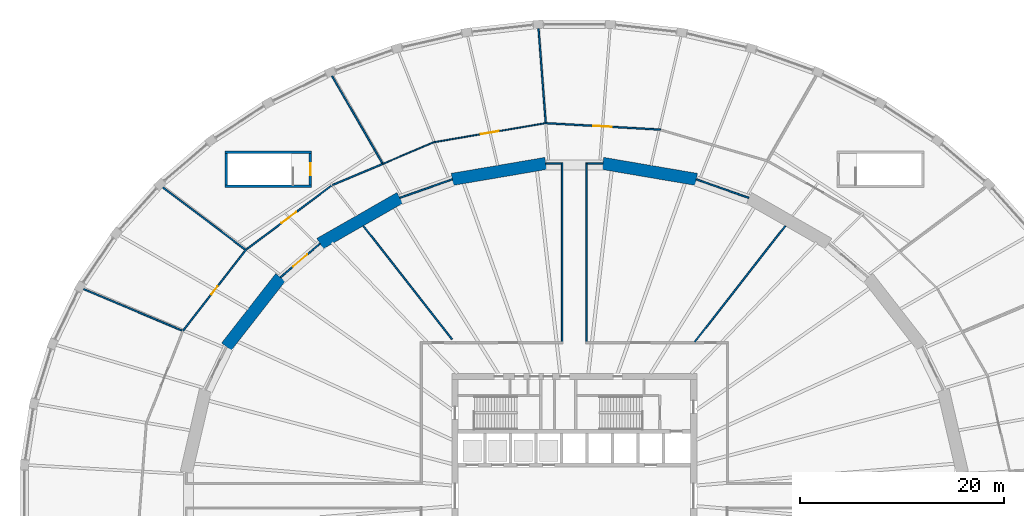
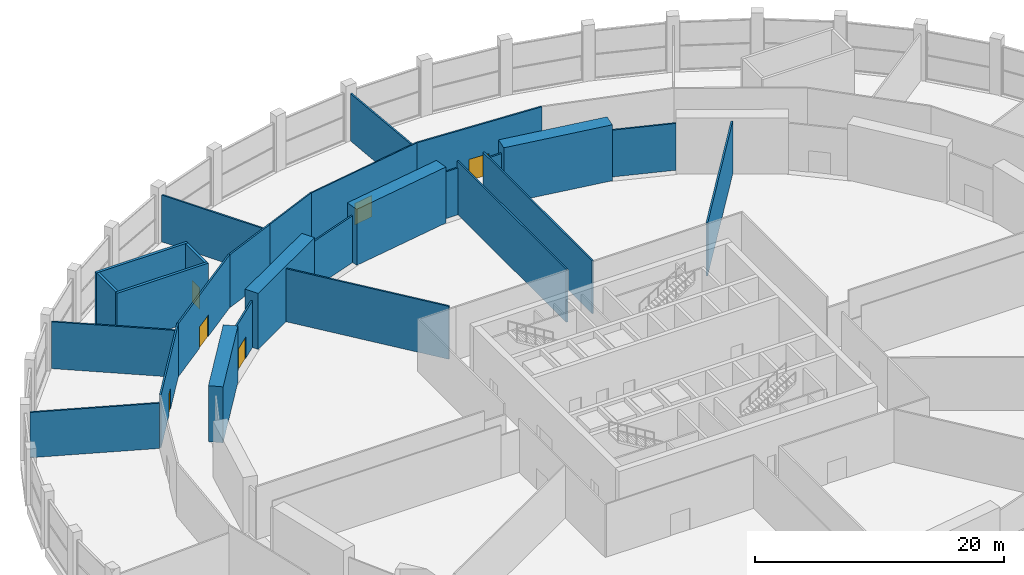
# One storey, part 23 of 26: 27 walls, 6 doors, 6 openings.
"""IFC4 building model written with IfcOpenShell, lengths in metres."""

import ifcopenshell
import ifcopenshell.guid

model = None  # the IFC model being written
_history = None  # IfcOwnerHistory: only IFC2X3 demands one
_inside = {}  # id of a spatial element -> (the spatial element, [elements in it])
_under = {}  # id of a project, library or spatial element -> (it, [spatial elements below it])
_declared = {}  # id of a project -> (the project, [libraries it declares])
_typed = {}  # id of a type object -> (the type object, [elements of that type])
_made_of = {}  # id of a material, layer set ... -> (it, [elements and type objects made of it])


def new_model(schema):
    """Start an empty IFC model of exactly this schema.

    Asked for "IFC4X3", IfcOpenShell would pick the latest addendum, in which some entities
    have other attributes; the version numbers below select the first issue.
    IFC2X3 requires an IfcOwnerHistory on every rooted entity: one is made here for all.
    """
    global model, _history
    if schema == "IFC4X3":
        model = ifcopenshell.file(schema_version=(4, 3, 0, 0))
    else:
        model = ifcopenshell.file(schema=schema)
    _inside.clear()
    _under.clear()
    _declared.clear()
    _typed.clear()
    _made_of.clear()
    _history = None
    if model.schema == "IFC2X3":
        org = make("IfcOrganization", Name="unknown")
        user = make(
            "IfcPersonAndOrganization",
            ThePerson=make("IfcPerson", FamilyName="unknown"),
            TheOrganization=org,
        )
        app = make(
            "IfcApplication",
            ApplicationDeveloper=org,
            Version="unknown",
            ApplicationFullName="unknown",
            ApplicationIdentifier="unknown",
        )
        _history = make(
            "IfcOwnerHistory",
            OwningUser=user,
            OwningApplication=app,
            ChangeAction="ADDED",
            CreationDate=0,
        )
    return model


def make(cls, **values):
    """One entity of the class cls with the attributes given. An attribute that is None is left unset."""
    return model.create_entity(
        cls, **{name: value for name, value in values.items() if value is not None}
    )


def rooted(cls, **values):
    """An entity with a GlobalId (a new one), such as an element, a storey or a relation."""
    return make(cls, GlobalId=ifcopenshell.guid.new(), OwnerHistory=_history, **values)


def si_unit(unit_type, name, prefix=None):
    """IfcSIUnit, for example si_unit("LENGTHUNIT", "METRE", prefix="MILLI")."""
    return make("IfcSIUnit", UnitType=unit_type, Prefix=prefix, Name=name)


def assignment(units):
    """IfcUnitAssignment: the units of a project."""
    return None if units is None else make("IfcUnitAssignment", Units=units)


def point(xyz):
    """IfcCartesianPoint."""
    return None if xyz is None else make("IfcCartesianPoint", Coordinates=xyz)


def direction(xyz):
    """IfcDirection."""
    return None if xyz is None else make("IfcDirection", DirectionRatios=xyz)


def frame(location, z_axis=None, x_axis=None):
    """IfcAxis2Placement3D, a coordinate frame: its origin and axes. An axis left out is left unset."""
    return make(
        "IfcAxis2Placement3D",
        Location=point(location),
        Axis=direction(z_axis),
        RefDirection=direction(x_axis),
    )


def frame_2d(location, x_axis=None):
    """IfcAxis2Placement2D, a coordinate frame in the plane: its origin and x axis."""
    return make(
        "IfcAxis2Placement2D", Location=point(location), RefDirection=direction(x_axis)
    )


def origin():
    """The frame at (0, 0, 0) with its axes left unset."""
    return frame((0.0, 0.0, 0.0))


def place(relative_to, where):
    """IfcLocalPlacement: puts the frame where relative to a parent placement (None: the world)."""
    return make(
        "IfcLocalPlacement", PlacementRelTo=relative_to, RelativePlacement=where
    )


def context(
    kind, dimensions, precision=None, world=None, true_north=None, identifier=None
):
    """IfcGeometricRepresentationContext, for example the 3D "Model" context."""
    return make(
        "IfcGeometricRepresentationContext",
        ContextIdentifier=identifier,
        ContextType=kind,
        CoordinateSpaceDimension=dimensions,
        Precision=precision,
        WorldCoordinateSystem=world,
        TrueNorth=true_north,
    )


def subcontext(parent, identifier, kind, view, scale=None):
    """IfcGeometricRepresentationSubContext, for example "Body" below "Model"."""
    return make(
        "IfcGeometricRepresentationSubContext",
        ContextIdentifier=identifier,
        ContextType=kind,
        ParentContext=parent,
        TargetScale=scale,
        TargetView=view,
    )


def project(units=None, contexts=None):
    """IfcProject with its units and contexts."""
    return rooted(
        "IfcProject",
        Name="project",
        RepresentationContexts=contexts,
        UnitsInContext=assignment(units),
    )


def spatial(cls, under=None, at=None, **own):
    """A site, building, storey or space (cls), placed at a placement, below another one or the project."""
    s = rooted(cls, ObjectPlacement=at, **own)
    if under is not None:
        _under.setdefault(under.id(), (under, []))[1].append(s)
    return s


def polyline(points):
    """IfcPolyline through the points."""
    return make("IfcPolyline", Points=[point(p) for p in points])


def profile(cls, at=None, kind="AREA", **sizes):
    """A parametric profile (cls). Its sizes go by their IFC names, for example OverallWidth=200.0."""
    return make(cls, ProfileType=kind, Position=at, **sizes)


def rectangle(**sizes):
    """IfcRectangleProfileDef."""
    return profile("IfcRectangleProfileDef", **sizes)


def outline(outer, holes=None, kind="AREA"):
    """IfcArbitraryClosedProfileDef: a profile drawn as a closed curve; with holes, ...WithVoids."""
    if holes is None:
        return make("IfcArbitraryClosedProfileDef", ProfileType=kind, OuterCurve=outer)
    return make(
        "IfcArbitraryProfileDefWithVoids",
        ProfileType=kind,
        OuterCurve=outer,
        InnerCurves=holes,
    )


def extrude(swept, where, along, depth):
    """IfcExtrudedAreaSolid: the profile swept, set in the frame where, extruded along a direction by depth."""
    return make(
        "IfcExtrudedAreaSolid",
        SweptArea=swept,
        Position=where,
        ExtrudedDirection=direction(along),
        Depth=depth,
    )


def shape(context_of_items, identifier, shape_type, items):
    """IfcShapeRepresentation: the items that make up one representation, for example the "Body"."""
    return make(
        "IfcShapeRepresentation",
        ContextOfItems=context_of_items,
        RepresentationIdentifier=identifier,
        RepresentationType=shape_type,
        Items=items,
    )


def material(Name=None, Category=None):
    """IfcMaterial."""
    return make("IfcMaterial", Name=Name, Category=Category)


def layer(
    of_material, thickness, ventilated=None, Name=None, Category=None, Priority=None
):
    """IfcMaterialLayer: one layer of a wall or slab, of a material (None: an air gap)."""
    return make(
        "IfcMaterialLayer",
        Material=of_material,
        LayerThickness=thickness,
        IsVentilated=ventilated,
        Name=Name,
        Category=Category,
        Priority=Priority,
    )


def layer_set(layers, Name=None):
    """IfcMaterialLayerSet."""
    return make("IfcMaterialLayerSet", MaterialLayers=layers, LayerSetName=Name)


def made_of(thing, what):
    """Note that an element or type object is made of a material, layer set ...; save() writes the relation."""
    if what is not None:
        _made_of.setdefault(what.id(), (what, []))[1].append(thing)
    return thing


def type_object(cls, material=None, **own):
    """A type object (cls), such as IfcWallType, which elements share."""
    return made_of(rooted(cls, **own), material)


def element(
    cls,
    number,
    at=None,
    inside=None,
    cuts=None,
    type_object=None,
    material=None,
    context=None,
    identifier="Body",
    shape_type=None,
    held_by="IfcProductDefinitionShape",
    body=None,
    shapes=None,
    **own,
):
    """One element of the class cls, such as IfcWall. Its Tag is "e" and its number.

    at: its placement. inside: the storey or other place that contains it. cuts: it is an
    opening in that element (IfcRelVoidsElement). A single representation is given by context,
    identifier, shape_type and body (its items); several are given by shapes. held_by: the class
    of the entity that holds the representations. save() writes the other relations.
    """
    e = rooted(cls, Tag="e%d" % number, ObjectPlacement=at, **own)
    if body is not None:
        shapes = [shape(context, identifier, shape_type, body)]
    if shapes is not None:
        e.Representation = make(held_by, Representations=shapes)
    if inside is not None:
        _inside.setdefault(inside.id(), (inside, []))[1].append(e)
    if cuts is not None:
        rooted(
            "IfcRelVoidsElement", RelatingBuildingElement=cuts, RelatedOpeningElement=e
        )
    if type_object is not None:
        _typed.setdefault(type_object.id(), (type_object, []))[1].append(e)
    return made_of(e, material)


def fill(opening, filler):
    """IfcRelFillsElement: the door or window that sits in an opening."""
    return rooted(
        "IfcRelFillsElement",
        RelatingOpeningElement=opening,
        RelatedBuildingElement=filler,
    )


def aggregate(whole, parts):
    """IfcRelAggregates: a whole, such as a stair, and the parts it consists of."""
    return rooted("IfcRelAggregates", RelatingObject=whole, RelatedObjects=parts)


def save(model, path):
    """Write the relations noted so far, then the file.

    IfcRelAggregates (storeys below a building ...), IfcRelContainedInSpatialStructure (elements
    in a storey), IfcRelDefinesByType, IfcRelAssociatesMaterial and IfcRelDeclares: one each for
    every whole, place, type object, material and project.
    """
    for whole, parts in _under.values():
        aggregate(whole, parts)
    for where, things in _inside.values():
        rooted(
            "IfcRelContainedInSpatialStructure",
            RelatedElements=things,
            RelatingStructure=where,
        )
    for kind, things in _typed.values():
        rooted("IfcRelDefinesByType", RelatedObjects=things, RelatingType=kind)
    for what, things in _made_of.values():
        rooted("IfcRelAssociatesMaterial", RelatedObjects=things, RelatingMaterial=what)
    for by, libraries in _declared.values():
        rooted("IfcRelDeclares", RelatingContext=by, RelatedDefinitions=libraries)
    model.write(path)


model = new_model("IFC4")

# Units and contexts
model_context = context("Model", 3, precision=1e-05, world=origin(), true_north=direction((0.0, 1.0)))
body_context = subcontext(model_context, "Body", "Model", "MODEL_VIEW")
ifc_project = project(units=[si_unit("LENGTHUNIT", "METRE"), si_unit("AREAUNIT", "SQUARE_METRE"), si_unit("VOLUMEUNIT", "CUBIC_METRE"), si_unit("PLANEANGLEUNIT", "RADIAN"), si_unit("MASSUNIT", "GRAM", prefix="KILO")], contexts=[model_context])

# Site, building, storey
site_placement = place(None, origin())
site = spatial("IfcSite", under=ifc_project, at=site_placement, CompositionType="ELEMENT")
building_placement = place(site_placement, origin())
building = spatial("IfcBuilding", under=site, at=building_placement, Name="Halqa Exchange Tower", CompositionType="ELEMENT")
storey_placement = place(building_placement, frame((0.0, 0.0, 18.0)))
storey = spatial("IfcBuildingStorey", under=building, at=storey_placement, Name="L03", CompositionType="ELEMENT", Elevation=18.0)

# Walls
ifc_material_1 = material(Name="Fire-rated gypsum board")
ifc_layer_1 = layer(ifc_material_1, 0.14990234375)
ifc_layer_set_1 = layer_set([ifc_layer_1], Name="Fire-rated gypsum board")
wall_type_1 = type_object("IfcWallType", Name="Fire partition EI 60 150", PredefinedType="PARTITIONING", material=ifc_layer_set_1)
wall_1_placement = place(storey_placement, frame((-40.337646484375, 30.225341796875, 0.0), z_axis=(0.0, 0.0, 1.0), x_axis=(0.798789212221, -0.601610999267, 0.0)))
element("IfcWall", 1, at=wall_1_placement, inside=storey, type_object=wall_type_1, Name="L03-PWL-005", PredefinedType="PARTITIONING", context=body_context, shape_type="SweptSolid", body=[
    extrude(outline(polyline([(-0.011474609375, -0.074951171875), (10.273193359375, -0.074951171875), (10.273193359375, 0.074951171875), (0.011474609375, 0.074951171875), (-0.011474609375, -0.074951171875)])), origin(), (0.0, 0.0, 1.0), 4.60009765625),
])
wall_2_placement = place(storey_placement, frame((-38.42919921875, 16.189208984375, 0.0), z_axis=(0.0, 0.0, 1.0), x_axis=(-0.92149423112, 0.388392046793, 0.0)))
element("IfcWall", 2, at=wall_2_placement, inside=storey, type_object=wall_type_1, Name="L03-PWL-007", PredefinedType="PARTITIONING", context=body_context, shape_type="SweptSolid", body=[
    extrude(outline(polyline([(0.0, -0.074951171875), (10.4794921875, -0.074951171875), (10.498046875, 0.074951171875), (0.0, 0.074951171875), (0.0, -0.074951171875)])), origin(), (0.0, 0.0, 1.0), 4.447021484375),
])

# Wall, opening, door
wall_3_placement = place(storey_placement, frame((-38.345947265625, 16.177978515625, 0.0), z_axis=(0.0, 0.0, 1.0), x_axis=(0.614345056522, 0.789037484235, 0.0)))
wall_3 = element("IfcWall", 3, at=wall_3_placement, inside=storey, type_object=wall_type_1, Name="L03-PWL-008", PredefinedType="PARTITIONING", context=body_context, shape_type="SweptSolid", body=[
    extrude(rectangle(XDim=10.153076171875, YDim=0.14990234375, at=frame_2d((5.07666015625, 0.0))), origin(), (0.0, 0.0, 1.0), 5.199951171875),
])
opening_1_placement = place(wall_3_placement, frame((4.514892578125, 0.0, 0.0)))
opening_1 = element("IfcOpeningElement", 4, at=opening_1_placement, cuts=wall_3, Name="Opening L03-24", PredefinedType="OPENING", context=body_context, shape_type="SweptSolid", body=[
    extrude(rectangle(XDim=1.0, YDim=2.10009765625, at=frame_2d((0.5, 1.050048828125))), frame((0.0, 0.0869140625, 0.0), z_axis=(0.0, -1.0, 0.0), x_axis=(1.0, 0.0, 0.0)), (0.0, 0.0, 1.0), 0.173828125),
])
ifc_material_2 = material(Name="Steel fire door leaf", Category="steel")
door_type_1 = type_object("IfcDoorType", Name="Fire door FD30S 1000 x 2100", OperationType="SINGLE_SWING_LEFT", PredefinedType="DOOR", material=ifc_material_2)
door_1_placement = place(opening_1_placement, origin())
door_1 = element("IfcDoor", 5, at=door_1_placement, inside=storey, type_object=door_type_1, Name="L03-IDR-024", OperationType="SINGLE_SWING_RIGHT", OverallHeight=2.10009765625, OverallWidth=1.0, PredefinedType="DOOR", context=body_context, shape_type="SweptSolid", body=[
    extrude(rectangle(XDim=1.0, YDim=2.10009765625, at=frame_2d((0.5, 1.050048828125))), frame((0.0, 0.02490234375, 0.0), z_axis=(0.0, -1.0, 0.0), x_axis=(1.0, 0.0, 0.0)), (0.0, 0.0, 1.0), 0.050048828125),
])
fill(opening_1, door_1)

wall_4_placement = place(storey_placement, frame((-32.131591796875, 24.138916015625, 0.0), z_axis=(0.0, 0.0, 1.0), x_axis=(0.799199441693, 0.601065930158, 0.0)))
wall_4 = element("IfcWall", 6, at=wall_4_placement, inside=storey, type_object=wall_type_1, Name="L03-PWL-016", PredefinedType="PARTITIONING", context=body_context, shape_type="SweptSolid", body=[
    extrude(rectangle(XDim=10.548828125, YDim=0.14990234375, at=frame_2d((5.2744140625, 0.0))), origin(), (0.0, 0.0, 1.0), 5.199951171875),
])
opening_2_placement = place(wall_4_placement, frame((4.301025390625, 0.0, 0.0)))
opening_2 = element("IfcOpeningElement", 7, at=opening_2_placement, cuts=wall_4, Name="Opening L03-17", PredefinedType="OPENING", context=body_context, shape_type="SweptSolid", body=[
    extrude(rectangle(XDim=1.800048828125, YDim=2.10009765625, at=frame_2d((0.89990234375, 1.050048828125))), frame((0.0, 0.0869140625, 0.0), z_axis=(0.0, -1.0, 0.0), x_axis=(1.0, 0.0, 0.0)), (0.0, 0.0, 1.0), 0.173828125),
])
door_type_2 = type_object("IfcDoorType", Name="Fire door FD30S double 1800 x 2100", OperationType="DOUBLE_DOOR_SINGLE_SWING", PredefinedType="DOOR", material=ifc_material_2)
door_2_placement = place(opening_2_placement, origin())
door_2 = element("IfcDoor", 8, at=door_2_placement, inside=storey, type_object=door_type_2, Name="L03-IDR-017", OperationType="DOUBLE_DOOR_SINGLE_SWING", OverallHeight=2.10009765625, OverallWidth=1.800048828125, PredefinedType="DOOR", context=body_context, shape_type="SweptSolid", body=[
    extrude(rectangle(XDim=1.800048828125, YDim=2.10009765625, at=frame_2d((0.89990234375, 1.050048828125))), frame((0.0, 0.02490234375, 0.0), z_axis=(0.0, -1.0, 0.0), x_axis=(1.0, 0.0, 0.0)), (0.0, 0.0, 1.0), 0.050048828125),
])
fill(opening_2, door_2)

wall_5_placement = place(storey_placement, frame((-24.931884765625, 24.70849609375, 0.0), z_axis=(0.0, 0.0, 1.0), x_axis=(-0.760084552743, -0.649824185978, 0.0)))
wall_5 = element("IfcWall", 9, at=wall_5_placement, inside=storey, type_object=wall_type_1, Name="L03-PWL-019", PredefinedType="PARTITIONING", context=body_context, shape_type="SweptSolid", body=[
    extrude(outline(polyline([(-0.01416015625, -0.074951171875), (5.09033203125, -0.074951171875), (5.0595703125, 0.074951171875), (0.01416015625, 0.074951171875), (-0.01416015625, -0.074951171875)])), origin(), (0.0, 0.0, 1.0), 4.60009765625),
])
opening_3_placement = place(wall_5_placement, frame((1.63671875, 0.0, 0.0)))
opening_3 = element("IfcOpeningElement", 10, at=opening_3_placement, cuts=wall_5, Name="Opening L03-07", PredefinedType="OPENING", context=body_context, shape_type="SweptSolid", body=[
    extrude(rectangle(XDim=1.800048828125, YDim=2.10009765625, at=frame_2d((0.89990234375, 1.050048828125))), frame((0.0, 0.0869140625, 0.0), z_axis=(0.0, -1.0, 0.0), x_axis=(1.0, 0.0, 0.0)), (0.0, 0.0, 1.0), 0.173828125),
])
door_3_placement = place(opening_3_placement, origin())
door_3 = element("IfcDoor", 11, at=door_3_placement, inside=storey, type_object=door_type_2, Name="L03-IDR-007", OperationType="DOUBLE_DOOR_SINGLE_SWING", OverallHeight=2.10009765625, OverallWidth=1.800048828125, PredefinedType="DOOR", context=body_context, shape_type="SweptSolid", body=[
    extrude(rectangle(XDim=1.800048828125, YDim=2.10009765625, at=frame_2d((0.89990234375, 1.050048828125))), frame((0.0, 0.02490234375, 0.0), z_axis=(0.0, -1.0, 0.0), x_axis=(1.0, 0.0, 0.0)), (0.0, 0.0, 1.0), 0.050048828125),
])
fill(opening_3, door_3)

# Walls
wall_6_placement = place(storey_placement, frame((-23.6865234375, 30.45947265625, 0.0), z_axis=(0.0, 0.0, 1.0), x_axis=(0.921600059119, 0.388140864934, 0.0)))
element("IfcWall", 12, at=wall_6_placement, inside=storey, type_object=wall_type_1, Name="L03-PWL-020", PredefinedType="PARTITIONING", context=body_context, shape_type="SweptSolid", body=[
    extrude(rectangle(XDim=5.335693359375, YDim=0.14990234375, at=frame_2d((2.66796875, 0.0))), origin(), (0.0, 0.0, 1.0), 5.199951171875),
])
wall_7_placement = place(storey_placement, frame((-23.7451171875, 41.150390625, 0.0), z_axis=(0.0, 0.0, 1.0), x_axis=(0.49985011379, -0.866111923336, 0.0)))
element("IfcWall", 13, at=wall_7_placement, inside=storey, type_object=wall_type_1, Name="L03-PWL-021", PredefinedType="PARTITIONING", context=body_context, shape_type="SweptSolid", body=[
    extrude(outline(polyline([(-0.00927734375, -0.074951171875), (9.8779296875, -0.074951171875), (9.8779296875, 0.074951171875), (0.00927734375, 0.074951171875), (-0.00927734375, -0.074951171875)])), origin(), (0.0, 0.0, 1.0), 4.60009765625),
])
wall_8_placement = place(storey_placement, frame((-20.679931640625, 26.449951171875, 0.0), z_axis=(0.0, 0.0, 1.0), x_axis=(0.616465586388, -0.787381851962, 0.0)))
element("IfcWall", 14, at=wall_8_placement, inside=storey, type_object=wall_type_1, Name="L03-PWL-022", PredefinedType="PARTITIONING", context=body_context, shape_type="SweptSolid", body=[
    extrude(outline(polyline([(-0.010986328125, -0.074951171875), (14.099853515625, -0.074951171875), (14.099853515625, 0.074951171875), (0.010986328125, 0.074951171875), (-0.010986328125, -0.074951171875)])), origin(), (0.0, 0.0, 1.0), 5.199951171875),
])
wall_9_placement = place(storey_placement, frame((-11.966796875, 31.01123046875, 0.0), z_axis=(0.0, 0.0, 1.0), x_axis=(-0.942814385805, -0.333318217204, 0.0)))
element("IfcWall", 15, at=wall_9_placement, inside=storey, type_object=wall_type_1, Name="L03-PWL-033", PredefinedType="PARTITIONING", context=body_context, shape_type="SweptSolid", body=[
    extrude(outline(polyline([(-0.012939453125, -0.074951171875), (5.448486328125, -0.074951171875), (5.421142578125, 0.074951171875), (0.012939453125, 0.074951171875), (-0.012939453125, -0.074951171875)])), origin(), (0.0, 0.0, 1.0), 4.60009765625),
])
wall_10_placement = place(storey_placement, frame((-2.80419921875, 36.5732421875, 0.0), z_axis=(0.0, 0.0, 1.0), x_axis=(-0.076121640679, 0.997098538671, 0.0)))
element("IfcWall", 16, at=wall_10_placement, inside=storey, type_object=wall_type_1, Name="L03-PWL-037", PredefinedType="PARTITIONING", context=body_context, shape_type="SweptSolid", body=[
    extrude(outline(polyline([(0.0, -0.074951171875), (9.254638671875, -0.074951171875), (9.257568359375, 0.074951171875), (0.0, 0.074951171875), (0.0, -0.074951171875)])), origin(), (0.0, 0.0, 1.0), 4.64990234375),
])

# Wall, opening, door
wall_11_placement = place(storey_placement, frame((-2.794921875, 36.519775390625, 0.0), z_axis=(0.0, 0.0, 1.0), x_axis=(0.998407334581, -0.056416258786, 0.0)))
wall_11 = element("IfcWall", 17, at=wall_11_placement, inside=storey, type_object=wall_type_1, Name="L03-PWL-038", PredefinedType="PARTITIONING", context=body_context, shape_type="SweptSolid", body=[
    extrude(rectangle(XDim=11.260009765625, YDim=0.14990234375, at=frame_2d((5.6298828125, 0.0))), origin(), (0.0, 0.0, 1.0), 5.199951171875),
])
opening_4_placement = place(wall_11_placement, frame((4.678955078125, 0.0, 0.0)))
opening_4 = element("IfcOpeningElement", 18, at=opening_4_placement, cuts=wall_11, Name="Opening L03-22", PredefinedType="OPENING", context=body_context, shape_type="SweptSolid", body=[
    extrude(rectangle(XDim=1.800048828125, YDim=2.10009765625, at=frame_2d((0.89990234375, 1.050048828125))), frame((0.0, 0.0869140625, 0.0), z_axis=(0.0, -1.0, 0.0), x_axis=(1.0, 0.0, 0.0)), (0.0, 0.0, 1.0), 0.173828125),
])
door_4_placement = place(opening_4_placement, origin())
door_4 = element("IfcDoor", 19, at=door_4_placement, inside=storey, type_object=door_type_2, Name="L03-IDR-022", OperationType="DOUBLE_DOOR_SINGLE_SWING", OverallHeight=2.10009765625, OverallWidth=1.800048828125, PredefinedType="DOOR", context=body_context, shape_type="SweptSolid", body=[
    extrude(rectangle(XDim=1.800048828125, YDim=2.10009765625, at=frame_2d((0.89990234375, 1.050048828125))), frame((0.0, 0.02490234375, 0.0), z_axis=(0.0, -1.0, 0.0), x_axis=(1.0, 0.0, 0.0)), (0.0, 0.0, 1.0), 0.050048828125),
])
fill(opening_4, door_4)

# Walls
wall_12_placement = place(storey_placement, frame((-1.199951171875, 15.074951171875, 0.0), z_axis=(0.0, 0.0, 1.0), x_axis=(0.0, 1.0, 0.0)))
element("IfcWall", 20, at=wall_12_placement, inside=storey, type_object=wall_type_1, Name="L03-PWL-043", PredefinedType="PARTITIONING", context=body_context, shape_type="SweptSolid", body=[
    extrude(rectangle(XDim=17.570068359375, YDim=0.14990234375, at=frame_2d((8.78515625, 0.0))), origin(), (0.0, 0.0, 1.0), 5.199951171875),
])
wall_13_placement = place(storey_placement, frame((-1.27490234375, 32.570068359375, 0.0), z_axis=(0.0, 0.0, 1.0), x_axis=(-1.0, 0.0, 0.0)))
element("IfcWall", 21, at=wall_13_placement, inside=storey, type_object=wall_type_1, Name="L03-PWL-044", PredefinedType="PARTITIONING", context=body_context, shape_type="SweptSolid", body=[
    extrude(outline(polyline([(0.0, -0.074951171875), (1.52587890625, -0.074951171875), (1.50048828125, 0.074951171875), (0.0, 0.074951171875), (0.0, -0.074951171875)])), origin(), (0.0, 0.0, 1.0), 4.60009765625),
])
wall_14_placement = place(storey_placement, frame((1.199951171875, 32.64501953125, 0.0), z_axis=(0.0, 0.0, 1.0), x_axis=(0.0, -1.0, 0.0)))
element("IfcWall", 22, at=wall_14_placement, inside=storey, type_object=wall_type_1, Name="L03-PWL-049", PredefinedType="PARTITIONING", context=body_context, shape_type="SweptSolid", body=[
    extrude(rectangle(XDim=17.570068359375, YDim=0.14990234375, at=frame_2d((8.78515625, 0.0))), origin(), (0.0, 0.0, 1.0), 5.199951171875),
])
wall_15_placement = place(storey_placement, frame((2.7880859375, 32.570068359375, 0.0), z_axis=(0.0, 0.0, 1.0), x_axis=(-1.0, 0.0, 0.0)))
element("IfcWall", 23, at=wall_15_placement, inside=storey, type_object=wall_type_1, Name="L03-PWL-050", PredefinedType="PARTITIONING", context=body_context, shape_type="SweptSolid", body=[
    extrude(outline(polyline([(-0.0126953125, -0.074951171875), (1.51318359375, -0.074951171875), (1.51318359375, 0.074951171875), (0.0126953125, 0.074951171875), (-0.0126953125, -0.074951171875)])), origin(), (0.0, 0.0, 1.0), 4.60009765625),
])
wall_16_placement = place(storey_placement, frame((11.7880859375, 15.074462890625, 0.0), z_axis=(0.0, 0.0, 1.0), x_axis=(0.615848120598, 0.787864894735, 0.0)))
element("IfcWall", 24, at=wall_16_placement, inside=storey, type_object=wall_type_1, Name="L03-PWL-053", PredefinedType="PARTITIONING", context=body_context, shape_type="SweptSolid", body=[
    extrude(outline(polyline([(0.0, -0.074951171875), (14.44921875, -0.074951171875), (14.427734375, 0.074951171875), (0.0, 0.074951171875), (0.0, -0.074951171875)])), origin(), (0.0, 0.0, 1.0), 5.199951171875),
])
wall_17_placement = place(storey_placement, frame((17.0908203125, 29.19970703125, 0.0), z_axis=(0.0, 0.0, 1.0), x_axis=(-0.942814385805, 0.333318217204, 0.0)))
element("IfcWall", 25, at=wall_17_placement, inside=storey, type_object=wall_type_1, Name="L03-PWL-062", PredefinedType="PARTITIONING", context=body_context, shape_type="SweptSolid", body=[
    extrude(outline(polyline([(-0.013671875, -0.074951171875), (5.44775390625, -0.074951171875), (5.421875, 0.074951171875), (0.013671875, 0.074951171875), (-0.013671875, -0.074951171875)])), origin(), (0.0, 0.0, 1.0), 4.60009765625),
])
ifc_material_3 = material(Name="Fire-rated glazing", Category="glass")
ifc_layer_2 = layer(ifc_material_3, 0.1201171875)
ifc_layer_set_2 = layer_set([ifc_layer_2], Name="Fire-rated glazing")
wall_type_2 = type_object("IfcWallType", Name="Glazed fire partition EI 60 120", PredefinedType="PARTITIONING", material=ifc_layer_set_2)
wall_18_placement = place(storey_placement, frame((-18.77001953125, 32.530029296875, 0.0), z_axis=(0.0, 0.0, 1.0), x_axis=(0.920949546313, 0.389681835792, 0.0)))
element("IfcWall", 26, at=wall_18_placement, inside=storey, type_object=wall_type_2, Name="L03-PWL-025", PredefinedType="PARTITIONING", context=body_context, shape_type="SweptSolid", body=[
    extrude(rectangle(XDim=5.51953125, YDim=0.1201171875, at=frame_2d((2.759765625, 0.0))), origin(), (0.0, 0.0, 1.0), 5.199951171875),
])

# Wall, opening, door
wall_19_placement = place(storey_placement, frame((-13.68017578125, 34.66357421875, 0.0), z_axis=(0.0, 0.0, 1.0), x_axis=(0.985752612564, 0.168201625505, 0.0)))
wall_19 = element("IfcWall", 27, at=wall_19_placement, inside=storey, type_object=wall_type_2, Name="L03-PWL-032", PredefinedType="PARTITIONING", context=body_context, shape_type="SweptSolid", body=[
    extrude(rectangle(XDim=11.042724609375, YDim=0.1201171875, at=frame_2d((5.521484375, 0.0))), origin(), (0.0, 0.0, 1.0), 5.199951171875),
])
opening_5_placement = place(wall_19_placement, frame((4.578125, 0.0, 0.0)))
opening_5 = element("IfcOpeningElement", 28, at=opening_5_placement, cuts=wall_19, Name="Opening L03-23", PredefinedType="OPENING", context=body_context, shape_type="SweptSolid", body=[
    extrude(rectangle(XDim=1.800048828125, YDim=2.10009765625, at=frame_2d((0.89990234375, 1.050048828125))), frame((0.0, 0.072021484375, 0.0), z_axis=(0.0, -1.0, 0.0), x_axis=(1.0, 0.0, 0.0)), (0.0, 0.0, 1.0), 0.14404296875),
])
door_5_placement = place(opening_5_placement, origin())
door_5 = element("IfcDoor", 29, at=door_5_placement, inside=storey, type_object=door_type_2, Name="L03-IDR-023", OperationType="DOUBLE_DOOR_SINGLE_SWING", OverallHeight=2.10009765625, OverallWidth=1.800048828125, PredefinedType="DOOR", context=body_context, shape_type="SweptSolid", body=[
    extrude(rectangle(XDim=1.800048828125, YDim=2.10009765625, at=frame_2d((0.89990234375, 1.050048828125))), frame((0.0, 0.02490234375, 0.0), z_axis=(0.0, -1.0, 0.0), x_axis=(1.0, 0.0, 0.0)), (0.0, 0.0, 1.0), 0.050048828125),
])
fill(opening_5, door_5)

# Walls
ifc_material_4 = material(Name="Concrete C80/95", Category="concrete")
ifc_layer_3 = layer(ifc_material_4, 1.199951171875)
ifc_layer_set_3 = layer_set([ifc_layer_3], Name="Concrete C80/95")
wall_type_3 = type_object("IfcWallType", Name="RC ring pier 1200 C80/95", PredefinedType="SHEAR", material=ifc_layer_set_3)
for number, where, z_axis, x_axis, name in (
    (30, (11.96728515625, 31.00927734375, 0.0), (0.0, 0.0, 1.0), (-0.985776286846, 0.168062822456, 0.0), "Ring pier 4"),
    (31, (-2.7880859375, 32.57421875, 0.0), (0.0, 0.0, 1.0), (-0.985776286846, -0.168062822456, 0.0), "Ring pier 5"),
):
    element("IfcWall", number, at=place(storey_placement, frame(where, z_axis=z_axis, x_axis=x_axis)), inside=storey, type_object=wall_type_3, Name=name, PredefinedType="SHEAR", context=body_context, shape_type="SweptSolid", body=[
        extrude(rectangle(XDim=9.3115234375, YDim=1.199951171875, at=frame_2d((4.65576171875, 0.0))), origin(), (0.0, 0.0, 1.0), 5.5),
    ])
wall_20_placement = place(storey_placement, frame((-17.088623046875, 29.197509765625, 0.0), z_axis=(0.0, 0.0, 1.0), x_axis=(-0.867760656864, -0.496982336103, 0.0)))
element("IfcWall", 32, at=wall_20_placement, inside=storey, type_object=wall_type_3, Name="Ring pier 6", PredefinedType="SHEAR", context=body_context, shape_type="SweptSolid", body=[
    extrude(rectangle(XDim=9.037841796875, YDim=1.199951171875, at=frame_2d((4.51904296875, 0.0))), origin(), (0.0, 0.0, 1.0), 5.5),
])
wall_21_placement = place(storey_placement, frame((-28.790283203125, 21.412353515625, 0.0), z_axis=(0.0, 0.0, 1.0), x_axis=(-0.614825322247, -0.788663314174, 0.0)))
element("IfcWall", 33, at=wall_21_placement, inside=storey, type_object=wall_type_3, Name="Ring pier 7", PredefinedType="SHEAR", context=body_context, shape_type="SweptSolid", body=[
    extrude(rectangle(XDim=8.631591796875, YDim=1.199951171875, at=frame_2d((4.31591796875, 0.0))), origin(), (0.0, 0.0, 1.0), 5.5),
])
ifc_material_5 = material(Name="Concrete C30/37", Category="concrete")
ifc_layer_4 = layer(ifc_material_5, 0.25)
ifc_layer_set_4 = layer_set([ifc_layer_4], Name="Concrete C30/37")
wall_type_4 = type_object("IfcWallType", Name="RC stair wall 250 C30/37", PredefinedType="SHEAR", material=ifc_layer_set_4)
for number, where, z_axis, x_axis, name in (
    (34, (-34.25, 33.64990234375, 0.0), (0.0, 0.0, 1.0), (1.0, 0.0, 0.0), "Stair PS3 wall north"),
    (35, (-34.25, 30.35009765625, 0.0), (0.0, 0.0, 1.0), (1.0, 0.0, 0.0), "Stair PS3 wall south"),
):
    element("IfcWall", number, at=place(storey_placement, frame(where, z_axis=z_axis, x_axis=x_axis)), inside=storey, type_object=wall_type_4, Name=name, PredefinedType="SHEAR", context=body_context, shape_type="SweptSolid", body=[
        extrude(rectangle(XDim=8.5, YDim=0.25, at=frame_2d((4.25, 0.0))), origin(), (0.0, 0.0, 1.0), 5.199951171875),
    ])
wall_22_placement = place(storey_placement, frame((-34.125, 30.47509765625, 0.0), z_axis=(0.0, 0.0, 1.0), x_axis=(0.0, 1.0, 0.0)))
element("IfcWall", 36, at=wall_22_placement, inside=storey, type_object=wall_type_4, Name="Stair PS3 wall west", PredefinedType="SHEAR", context=body_context, shape_type="SweptSolid", body=[
    extrude(rectangle(XDim=3.0498046875, YDim=0.25, at=frame_2d((1.52490234375, 0.0))), origin(), (0.0, 0.0, 1.0), 5.199951171875),
])

# Wall, opening, door
wall_23_placement = place(storey_placement, frame((-25.875, 30.47509765625, 0.0), z_axis=(0.0, 0.0, 1.0), x_axis=(0.0, 1.0, 0.0)))
wall_23 = element("IfcWall", 37, at=wall_23_placement, inside=storey, type_object=wall_type_4, Name="Stair PS3 wall east", PredefinedType="SHEAR", context=body_context, shape_type="SweptSolid", body=[
    extrude(rectangle(XDim=3.0498046875, YDim=0.25, at=frame_2d((1.52490234375, 0.0))), origin(), (0.0, 0.0, 1.0), 5.199951171875),
])
opening_6_placement = place(wall_23_placement, frame((0.925048828125, 0.0, 0.0)))
opening_6 = element("IfcOpeningElement", 38, at=opening_6_placement, cuts=wall_23, Name="Opening L03-C17", PredefinedType="OPENING", context=body_context, shape_type="SweptSolid", body=[
    extrude(rectangle(XDim=1.199951171875, YDim=2.10009765625, at=frame_2d((0.60009765625, 1.050048828125))), frame((0.0, 0.136962890625, 0.0), z_axis=(0.0, -1.0, 0.0), x_axis=(1.0, 0.0, 0.0)), (0.0, 0.0, 1.0), 0.27392578125),
])
door_type_3 = type_object("IfcDoorType", Name="Stair door FD90 1200 x 2100", OperationType="SINGLE_SWING_LEFT", PredefinedType="DOOR", material=ifc_material_2)
door_6_placement = place(opening_6_placement, origin())
door_6 = element("IfcDoor", 39, at=door_6_placement, inside=storey, type_object=door_type_3, Name="Stair door PS3", OperationType="SINGLE_SWING_LEFT", OverallHeight=2.10009765625, OverallWidth=1.199951171875, PredefinedType="DOOR", context=body_context, shape_type="SweptSolid", body=[
    extrude(rectangle(XDim=1.199951171875, YDim=2.10009765625, at=frame_2d((0.60009765625, 1.050048828125))), frame((0.0, 0.02490234375, 0.0), z_axis=(0.0, -1.0, 0.0), x_axis=(1.0, 0.0, 0.0)), (0.0, 0.0, 1.0), 0.050048828125),
])
fill(opening_6, door_6)

save(model, "model.ifc")
